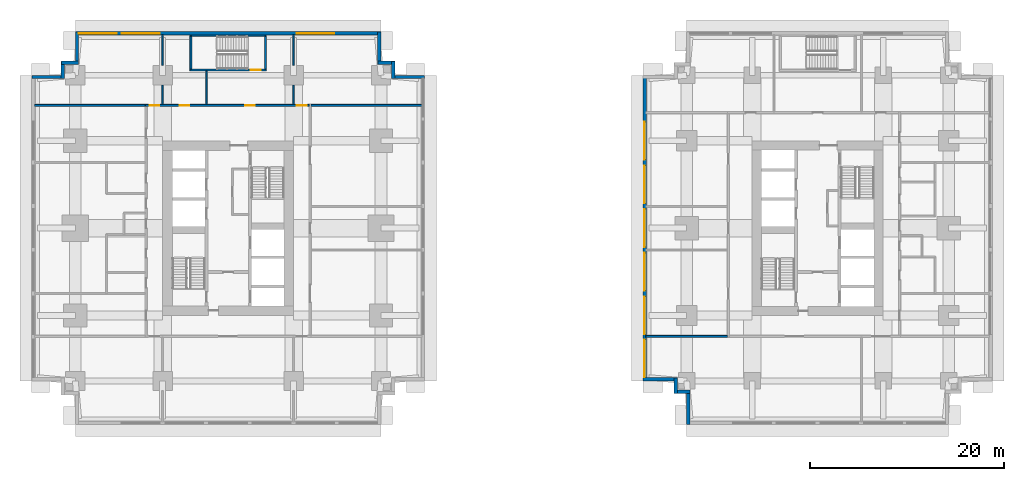
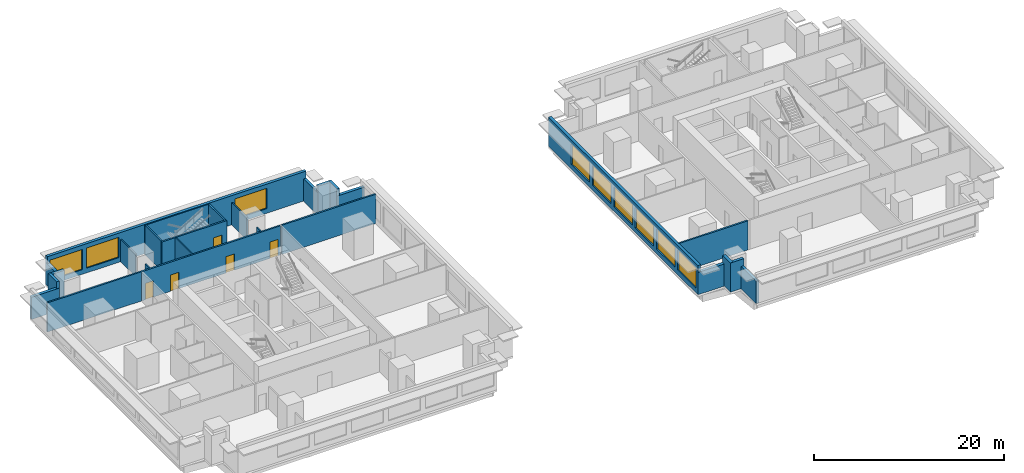
# One storey, part 5 of 11: 27 walls, 9 windows, 5 doors, 14 openings.
"""IFC4 building model written with IfcOpenShell, lengths in metres."""

from ifc_helpers import new_model, si_unit, direction, frame, frame_2d, origin, place, context, subcontext, project, spatial, rectangle, extrude, material, layer, layer_set, type_object, element, fill, save


model = new_model("IFC4")

# Units and contexts
model_context = context("Model", 3, precision=1e-05, world=origin(), true_north=direction((0.0, 1.0)))
body_context = subcontext(model_context, "Body", "Model", "MODEL_VIEW")
ifc_project = project(units=[si_unit("LENGTHUNIT", "METRE"), si_unit("AREAUNIT", "SQUARE_METRE"), si_unit("VOLUMEUNIT", "CUBIC_METRE"), si_unit("PLANEANGLEUNIT", "RADIAN"), si_unit("MASSUNIT", "GRAM", prefix="KILO")], contexts=[model_context])

# Site, building, storey
site_placement = place(None, origin())
site = spatial("IfcSite", under=ifc_project, at=site_placement, CompositionType="ELEMENT")
building_placement = place(site_placement, origin())
building = spatial("IfcBuilding", under=site, at=building_placement, Name="Namib Vertical Campus", CompositionType="ELEMENT")
storey_placement = place(building_placement, frame((0.0, 0.0, 57.0)))
storey = spatial("IfcBuildingStorey", under=building, at=storey_placement, Name="L13", CompositionType="ELEMENT", Elevation=57.0)

# Wall, openings, doors
ifc_material_1 = material(Name="Concrete masonry", Category="masonry")
ifc_layer_1 = layer(ifc_material_1, 0.199951171875)
ifc_layer_set_1 = layer_set([ifc_layer_1], Name="Corridor wall 200")
wall_type_1 = type_object("IfcWallType", Name="Corridor wall 200", PredefinedType="SOLIDWALL", material=ifc_layer_set_1)
wall_1_placement = place(storey_placement, frame((28.60009765625, 32.89990234375, 0.0), z_axis=(0.0, 0.0, 1.0), x_axis=(-1.0, 0.0, 0.0)))
wall_1 = element("IfcWall", 1, at=wall_1_placement, inside=storey, type_object=wall_type_1, Name="Corridor wall A L13 CN", PredefinedType="SOLIDWALL", context=body_context, shape_type="SweptSolid", body=[
    extrude(rectangle(XDim=16.900146484375, YDim=0.199951171875, at=frame_2d((8.4501953125, 0.0))), origin(), (0.0, 0.0, 1.0), 3.75),
])
opening_1_placement = place(wall_1_placement, frame((15.425048828125, 0.0, 0.0)))
opening_1 = element("IfcOpeningElement", 2, at=opening_1_placement, cuts=wall_1, Name="Opening CD1", PredefinedType="OPENING", context=body_context, shape_type="SweptSolid", body=[
    extrude(rectangle(XDim=1.0, YDim=2.10009765625, at=frame_2d((0.5, 1.050048828125))), frame((0.0, 0.10986328125, 0.0), z_axis=(0.0, -1.0, 0.0), x_axis=(1.0, 0.0, 0.0)), (0.0, 0.0, 1.0), 0.219970703125),
])
opening_2_placement = place(wall_1_placement, frame((12.35009765625, 0.0, 0.0)))
opening_2 = element("IfcOpeningElement", 3, at=opening_2_placement, cuts=wall_1, Name="Opening CD1", PredefinedType="OPENING", context=body_context, shape_type="SweptSolid", body=[
    extrude(rectangle(XDim=1.0, YDim=2.10009765625, at=frame_2d((0.5, 1.050048828125))), frame((0.0, 0.10986328125, 0.0), z_axis=(0.0, -1.0, 0.0), x_axis=(1.0, 0.0, 0.0)), (0.0, 0.0, 1.0), 0.219970703125),
])
opening_3_placement = place(wall_1_placement, frame((5.60009765625, 0.0, 0.0)))
opening_3 = element("IfcOpeningElement", 4, at=opening_3_placement, cuts=wall_1, Name="Opening CD1", PredefinedType="OPENING", context=body_context, shape_type="SweptSolid", body=[
    extrude(rectangle(XDim=1.0, YDim=2.10009765625, at=frame_2d((0.5, 1.050048828125))), frame((0.0, 0.10986328125, 0.0), z_axis=(0.0, -1.0, 0.0), x_axis=(1.0, 0.0, 0.0)), (0.0, 0.0, 1.0), 0.219970703125),
])
opening_4_placement = place(wall_1_placement, frame((0.27490234375, 0.0, 0.0)))
opening_4 = element("IfcOpeningElement", 5, at=opening_4_placement, cuts=wall_1, Name="Opening CD1", PredefinedType="OPENING", context=body_context, shape_type="SweptSolid", body=[
    extrude(rectangle(XDim=1.0, YDim=2.10009765625, at=frame_2d((0.5, 1.050048828125))), frame((0.0, 0.10986328125, 0.0), z_axis=(0.0, -1.0, 0.0), x_axis=(1.0, 0.0, 0.0)), (0.0, 0.0, 1.0), 0.219970703125),
])
ifc_material_2 = material(Name="Timber fire door leaf", Category="wood")
door_type_1 = type_object("IfcDoorType", Name="Corridor door 1000x2100 20 min", OperationType="SINGLE_SWING_LEFT", PredefinedType="DOOR", material=ifc_material_2)
door_1_placement = place(opening_1_placement, frame((1.0, 0.0, 0.0), z_axis=(0.0, 0.0, 1.0), x_axis=(-1.0, 0.0, 0.0)))
door_1 = element("IfcDoor", 6, at=door_1_placement, inside=storey, type_object=door_type_1, Name="Door CD1 A13-07", OperationType="SINGLE_SWING_RIGHT", OverallHeight=2.10009765625, OverallWidth=1.0, PredefinedType="DOOR", context=body_context, shape_type="SweptSolid", body=[
    extrude(rectangle(XDim=1.0, YDim=2.10009765625, at=frame_2d((0.5, 1.050048828125))), frame((0.0, 0.02490234375, 0.0), z_axis=(0.0, -1.0, 0.0), x_axis=(1.0, 0.0, 0.0)), (0.0, 0.0, 1.0), 0.050048828125),
])
fill(opening_1, door_1)
door_2_placement = place(opening_2_placement, frame((1.0, 0.0, 0.0), z_axis=(0.0, 0.0, 1.0), x_axis=(-1.0, 0.0, 0.0)))
door_2 = element("IfcDoor", 7, at=door_2_placement, inside=storey, type_object=door_type_1, Name="Door CD1 A13-08", OperationType="SINGLE_SWING_RIGHT", OverallHeight=2.10009765625, OverallWidth=1.0, PredefinedType="DOOR", context=body_context, shape_type="SweptSolid", body=[
    extrude(rectangle(XDim=1.0, YDim=2.10009765625, at=frame_2d((0.5, 1.050048828125))), frame((0.0, 0.02490234375, 0.0), z_axis=(0.0, -1.0, 0.0), x_axis=(1.0, 0.0, 0.0)), (0.0, 0.0, 1.0), 0.050048828125),
])
fill(opening_2, door_2)
door_3_placement = place(opening_3_placement, frame((1.0, 0.0, 0.0), z_axis=(0.0, 0.0, 1.0), x_axis=(-1.0, 0.0, 0.0)))
door_3 = element("IfcDoor", 8, at=door_3_placement, inside=storey, type_object=door_type_1, Name="Door CD1 A13-09", OperationType="SINGLE_SWING_RIGHT", OverallHeight=2.10009765625, OverallWidth=1.0, PredefinedType="DOOR", context=body_context, shape_type="SweptSolid", body=[
    extrude(rectangle(XDim=1.0, YDim=2.10009765625, at=frame_2d((0.5, 1.050048828125))), frame((0.0, 0.02490234375, 0.0), z_axis=(0.0, -1.0, 0.0), x_axis=(1.0, 0.0, 0.0)), (0.0, 0.0, 1.0), 0.050048828125),
])
fill(opening_3, door_3)
door_4_placement = place(opening_4_placement, frame((1.0, 0.0, 0.0), z_axis=(0.0, 0.0, 1.0), x_axis=(-1.0, 0.0, 0.0)))
door_4 = element("IfcDoor", 9, at=door_4_placement, inside=storey, type_object=door_type_1, Name="Door CD1 A13-10", OperationType="SINGLE_SWING_LEFT", OverallHeight=2.10009765625, OverallWidth=1.0, PredefinedType="DOOR", context=body_context, shape_type="SweptSolid", body=[
    extrude(rectangle(XDim=1.0, YDim=2.10009765625, at=frame_2d((0.5, 1.050048828125))), frame((0.0, 0.02490234375, 0.0), z_axis=(0.0, -1.0, 0.0), x_axis=(1.0, 0.0, 0.0)), (0.0, 0.0, 1.0), 0.050048828125),
])
fill(opening_4, door_4)

# Walls
for number, where, z_axis, x_axis, name in (
    (10, (0.300048828125, 32.89990234375, 0.0), (0.0, 0.0, 1.0), (1.0, 0.0, 0.0), "Partition A L13 BNW"),
    (11, (28.800048828125, 32.89990234375, 0.0), (0.0, 0.0, 1.0), (1.0, 0.0, 0.0), "Partition A L13 BNE"),
):
    element("IfcWall", number, at=place(storey_placement, frame(where, z_axis=z_axis, x_axis=x_axis)), inside=storey, type_object=wall_type_1, Name=name, PredefinedType="SOLIDWALL", context=body_context, shape_type="SweptSolid", body=[
        extrude(rectangle(XDim=11.39990234375, YDim=0.199951171875, at=frame_2d((5.699951171875, 0.0))), origin(), (0.0, 0.0, 1.0), 3.75),
    ])
wall_2_placement = place(storey_placement, frame((63.300048828125, 9.10009765625, 0.0), z_axis=(0.0, 0.0, 1.0), x_axis=(1.0, 0.0, 0.0)))
element("IfcWall", 12, at=wall_2_placement, inside=storey, type_object=wall_type_1, Name="Partition B L13 BSW", PredefinedType="SOLIDWALL", context=body_context, shape_type="SweptSolid", body=[
    extrude(rectangle(XDim=8.39990234375, YDim=0.199951171875, at=frame_2d((4.199951171875, 0.0))), origin(), (0.0, 0.0, 1.0), 3.75),
])
ifc_material_3 = material(Name="Concrete C40/50", Category="concrete")
ifc_layer_2 = layer(ifc_material_3, 0.35009765625)
ifc_layer_set_2 = layer_set([ifc_layer_2], Name="Concrete C40/50")
wall_type_2 = type_object("IfcWallType", Name="External wall 350 bush-hammered concrete", PredefinedType="STANDARD", material=ifc_layer_set_2)
wall_3_placement = place(storey_placement, frame((40.47998046875, 35.824951171875, 0.0), z_axis=(0.0, 0.0, 1.0), x_axis=(-1.0, 0.0, 0.0)))
element("IfcWall", 13, at=wall_3_placement, inside=storey, type_object=wall_type_2, Name="External wall L13 F07", PredefinedType="STANDARD", context=body_context, shape_type="SweptSolid", body=[
    extrude(rectangle(XDim=3.35986328125, YDim=0.35009765625, at=frame_2d((1.679931640625, 0.0))), origin(), (0.0, 0.0, 1.0), 2.85009765625),
])
for number, where, z_axis, x_axis, name in (
    (14, (37.27490234375, 35.669921875, 0.0), (0.0, 0.0, 1.0), (0.0, 1.0, 0.0), "External wall L13 F08"),
    (15, (37.429931640625, 37.27490234375, 0.0), (0.0, 0.0, 1.0), (-1.0, 0.0, 0.0), "External wall L13 F09"),
):
    element("IfcWall", number, at=place(storey_placement, frame(where, z_axis=z_axis, x_axis=x_axis)), inside=storey, type_object=wall_type_2, Name=name, PredefinedType="STANDARD", context=body_context, shape_type="SweptSolid", body=[
        extrude(rectangle(XDim=1.760009765625, YDim=0.35009765625, at=frame_2d((0.8798828125, 0.0))), origin(), (0.0, 0.0, 1.0), 3.75),
    ])
wall_4_placement = place(storey_placement, frame((35.824951171875, 37.1201171875, 0.0), z_axis=(0.0, 0.0, 1.0), x_axis=(0.0, 1.0, 0.0)))
element("IfcWall", 16, at=wall_4_placement, inside=storey, type_object=wall_type_2, Name="External wall L13 F10", PredefinedType="STANDARD", context=body_context, shape_type="SweptSolid", body=[
    extrude(rectangle(XDim=3.35986328125, YDim=0.35009765625, at=frame_2d((1.679931640625, 0.0))), origin(), (0.0, 0.0, 1.0), 2.85009765625),
])

# Wall, openings, windows
wall_5_placement = place(storey_placement, frame((35.97998046875, 40.324951171875, 0.0), z_axis=(0.0, 0.0, 1.0), x_axis=(-1.0, 0.0, 0.0)))
wall_5 = element("IfcWall", 17, at=wall_5_placement, inside=storey, type_object=wall_type_2, Name="External wall L13 F11", PredefinedType="STANDARD", context=body_context, shape_type="SweptSolid", body=[
    extrude(rectangle(XDim=31.4599609375, YDim=0.35009765625, at=frame_2d((15.72998046875, 0.0))), origin(), (0.0, 0.0, 1.0), 3.75),
])
opening_5_placement = place(wall_5_placement, frame((27.2099609375, 0.0, 0.60009765625)))
opening_5 = element("IfcOpeningElement", 18, at=opening_5_placement, cuts=wall_5, Name="Opening W2", PredefinedType="OPENING", context=body_context, shape_type="SweptSolid", body=[
    extrude(rectangle(XDim=3.89990234375, YDim=2.60009765625, at=frame_2d((1.949951171875, 1.300048828125))), frame((0.0, 0.18505859375, 0.0), z_axis=(0.0, -1.0, 0.0), x_axis=(1.0, 0.0, 0.0)), (0.0, 0.0, 1.0), 0.3701171875),
])
opening_6_placement = place(wall_5_placement, frame((22.780029296875, 0.0, 0.60009765625)))
opening_6 = element("IfcOpeningElement", 19, at=opening_6_placement, cuts=wall_5, Name="Opening W2", PredefinedType="OPENING", context=body_context, shape_type="SweptSolid", body=[
    extrude(rectangle(XDim=3.89990234375, YDim=2.60009765625, at=frame_2d((1.949951171875, 1.300048828125))), frame((0.0, 0.18505859375, 0.0), z_axis=(0.0, -1.0, 0.0), x_axis=(1.0, 0.0, 0.0)), (0.0, 0.0, 1.0), 0.3701171875),
])
opening_7_placement = place(wall_5_placement, frame((4.780029296875, 0.0, 0.60009765625)))
opening_7 = element("IfcOpeningElement", 20, at=opening_7_placement, cuts=wall_5, Name="Opening W2", PredefinedType="OPENING", context=body_context, shape_type="SweptSolid", body=[
    extrude(rectangle(XDim=3.89990234375, YDim=2.60009765625, at=frame_2d((1.949951171875, 1.300048828125))), frame((0.0, 0.18505859375, 0.0), z_axis=(0.0, -1.0, 0.0), x_axis=(1.0, 0.0, 0.0)), (0.0, 0.0, 1.0), 0.3701171875),
])
ifc_material_4 = material(Name="Dark tinted glass in black aluminium frame", Category="aluminium")
window_type = type_object("IfcWindowType", Name="Ribbon window 3900x2600", PartitioningType="SINGLE_PANEL", PredefinedType="WINDOW", material=ifc_material_4)
window_1_placement = place(opening_5_placement, origin())
window_1 = element("IfcWindow", 21, at=window_1_placement, inside=storey, type_object=window_type, Name="Window W2 L13 F11-1", OverallHeight=2.60009765625, OverallWidth=3.89990234375, PartitioningType="SINGLE_PANEL", PredefinedType="WINDOW", context=body_context, shape_type="SweptSolid", body=[
    extrude(rectangle(XDim=3.89990234375, YDim=2.60009765625, at=frame_2d((1.949951171875, 1.300048828125))), frame((0.0, 0.030029296875, 0.0), z_axis=(0.0, -1.0, 0.0), x_axis=(1.0, 0.0, 0.0)), (0.0, 0.0, 1.0), 0.06005859375),
])
fill(opening_5, window_1)
window_2_placement = place(opening_6_placement, origin())
window_2 = element("IfcWindow", 22, at=window_2_placement, inside=storey, type_object=window_type, Name="Window W2 L13 F11-2", OverallHeight=2.60009765625, OverallWidth=3.89990234375, PartitioningType="SINGLE_PANEL", PredefinedType="WINDOW", context=body_context, shape_type="SweptSolid", body=[
    extrude(rectangle(XDim=3.89990234375, YDim=2.60009765625, at=frame_2d((1.949951171875, 1.300048828125))), frame((0.0, 0.030029296875, 0.0), z_axis=(0.0, -1.0, 0.0), x_axis=(1.0, 0.0, 0.0)), (0.0, 0.0, 1.0), 0.06005859375),
])
fill(opening_6, window_2)
window_3_placement = place(opening_7_placement, origin())
window_3 = element("IfcWindow", 23, at=window_3_placement, inside=storey, type_object=window_type, Name="Window W2 L13 F11-6", OverallHeight=2.60009765625, OverallWidth=3.89990234375, PartitioningType="SINGLE_PANEL", PredefinedType="WINDOW", context=body_context, shape_type="SweptSolid", body=[
    extrude(rectangle(XDim=3.89990234375, YDim=2.60009765625, at=frame_2d((1.949951171875, 1.300048828125))), frame((0.0, 0.030029296875, 0.0), z_axis=(0.0, -1.0, 0.0), x_axis=(1.0, 0.0, 0.0)), (0.0, 0.0, 1.0), 0.06005859375),
])
fill(opening_7, window_3)

# Walls
wall_6_placement = place(storey_placement, frame((4.675048828125, 40.47998046875, 0.0), z_axis=(0.0, 0.0, 1.0), x_axis=(0.0, -1.0, 0.0)))
element("IfcWall", 24, at=wall_6_placement, inside=storey, type_object=wall_type_2, Name="External wall L13 F12", PredefinedType="STANDARD", context=body_context, shape_type="SweptSolid", body=[
    extrude(rectangle(XDim=3.35986328125, YDim=0.35009765625, at=frame_2d((1.679931640625, 0.0))), origin(), (0.0, 0.0, 1.0), 2.85009765625),
])
for number, where, z_axis, x_axis, name in (
    (25, (4.830078125, 37.27490234375, 0.0), (0.0, 0.0, 1.0), (-1.0, 0.0, 0.0), "External wall L13 F13"),
    (26, (3.22509765625, 37.429931640625, 0.0), (0.0, 0.0, 1.0), (0.0, -1.0, 0.0), "External wall L13 F14"),
):
    element("IfcWall", number, at=place(storey_placement, frame(where, z_axis=z_axis, x_axis=x_axis)), inside=storey, type_object=wall_type_2, Name=name, PredefinedType="STANDARD", context=body_context, shape_type="SweptSolid", body=[
        extrude(rectangle(XDim=1.760009765625, YDim=0.35009765625, at=frame_2d((0.8798828125, 0.0))), origin(), (0.0, 0.0, 1.0), 3.75),
    ])
wall_7_placement = place(storey_placement, frame((3.3798828125, 35.824951171875, 0.0), z_axis=(0.0, 0.0, 1.0), x_axis=(-1.0, 0.0, 0.0)))
element("IfcWall", 27, at=wall_7_placement, inside=storey, type_object=wall_type_2, Name="External wall L13 F15", PredefinedType="STANDARD", context=body_context, shape_type="SweptSolid", body=[
    extrude(rectangle(XDim=3.35986328125, YDim=0.35009765625, at=frame_2d((1.679931640625, 0.0))), origin(), (0.0, 0.0, 1.0), 2.85009765625),
])

# Wall, openings, windows
wall_8_placement = place(storey_placement, frame((63.175048828125, 35.97998046875, 0.0), z_axis=(0.0, 0.0, 1.0), x_axis=(0.0, -1.0, 0.0)))
wall_8 = element("IfcWall", 28, at=wall_8_placement, inside=storey, type_object=wall_type_2, Name="External wall L13 F16", PredefinedType="STANDARD", context=body_context, shape_type="SweptSolid", body=[
    extrude(rectangle(XDim=31.4599609375, YDim=0.35009765625, at=frame_2d((15.72998046875, 0.0))), origin(), (0.0, 0.0, 1.0), 3.75),
])
opening_8_placement = place(wall_8_placement, frame((27.2099609375, 0.0, 0.60009765625)))
opening_8 = element("IfcOpeningElement", 29, at=opening_8_placement, cuts=wall_8, Name="Opening W2", PredefinedType="OPENING", context=body_context, shape_type="SweptSolid", body=[
    extrude(rectangle(XDim=3.89990234375, YDim=2.60009765625, at=frame_2d((1.949951171875, 1.300048828125))), frame((0.0, 0.18505859375, 0.0), z_axis=(0.0, -1.0, 0.0), x_axis=(1.0, 0.0, 0.0)), (0.0, 0.0, 1.0), 0.3701171875),
])
opening_9_placement = place(wall_8_placement, frame((22.780029296875, 0.0, 0.60009765625)))
opening_9 = element("IfcOpeningElement", 30, at=opening_9_placement, cuts=wall_8, Name="Opening W2", PredefinedType="OPENING", context=body_context, shape_type="SweptSolid", body=[
    extrude(rectangle(XDim=3.89990234375, YDim=2.60009765625, at=frame_2d((1.949951171875, 1.300048828125))), frame((0.0, 0.18505859375, 0.0), z_axis=(0.0, -1.0, 0.0), x_axis=(1.0, 0.0, 0.0)), (0.0, 0.0, 1.0), 0.3701171875),
])
opening_10_placement = place(wall_8_placement, frame((18.280029296875, 0.0, 0.60009765625)))
opening_10 = element("IfcOpeningElement", 31, at=opening_10_placement, cuts=wall_8, Name="Opening W2", PredefinedType="OPENING", context=body_context, shape_type="SweptSolid", body=[
    extrude(rectangle(XDim=3.89990234375, YDim=2.60009765625, at=frame_2d((1.949951171875, 1.300048828125))), frame((0.0, 0.18505859375, 0.0), z_axis=(0.0, -1.0, 0.0), x_axis=(1.0, 0.0, 0.0)), (0.0, 0.0, 1.0), 0.3701171875),
])
opening_11_placement = place(wall_8_placement, frame((13.780029296875, 0.0, 0.60009765625)))
opening_11 = element("IfcOpeningElement", 32, at=opening_11_placement, cuts=wall_8, Name="Opening W2", PredefinedType="OPENING", context=body_context, shape_type="SweptSolid", body=[
    extrude(rectangle(XDim=3.89990234375, YDim=2.60009765625, at=frame_2d((1.949951171875, 1.300048828125))), frame((0.0, 0.18505859375, 0.0), z_axis=(0.0, -1.0, 0.0), x_axis=(1.0, 0.0, 0.0)), (0.0, 0.0, 1.0), 0.3701171875),
])
opening_12_placement = place(wall_8_placement, frame((9.280029296875, 0.0, 0.60009765625)))
opening_12 = element("IfcOpeningElement", 33, at=opening_12_placement, cuts=wall_8, Name="Opening W2", PredefinedType="OPENING", context=body_context, shape_type="SweptSolid", body=[
    extrude(rectangle(XDim=3.89990234375, YDim=2.60009765625, at=frame_2d((1.949951171875, 1.300048828125))), frame((0.0, 0.18505859375, 0.0), z_axis=(0.0, -1.0, 0.0), x_axis=(1.0, 0.0, 0.0)), (0.0, 0.0, 1.0), 0.3701171875),
])
opening_13_placement = place(wall_8_placement, frame((4.780029296875, 0.0, 0.60009765625)))
opening_13 = element("IfcOpeningElement", 34, at=opening_13_placement, cuts=wall_8, Name="Opening W2", PredefinedType="OPENING", context=body_context, shape_type="SweptSolid", body=[
    extrude(rectangle(XDim=3.89990234375, YDim=2.60009765625, at=frame_2d((1.949951171875, 1.300048828125))), frame((0.0, 0.18505859375, 0.0), z_axis=(0.0, -1.0, 0.0), x_axis=(1.0, 0.0, 0.0)), (0.0, 0.0, 1.0), 0.3701171875),
])
window_4_placement = place(opening_8_placement, origin())
window_4 = element("IfcWindow", 35, at=window_4_placement, inside=storey, type_object=window_type, Name="Window W2 L13 F16-1", OverallHeight=2.60009765625, OverallWidth=3.89990234375, PartitioningType="SINGLE_PANEL", PredefinedType="WINDOW", context=body_context, shape_type="SweptSolid", body=[
    extrude(rectangle(XDim=3.89990234375, YDim=2.60009765625, at=frame_2d((1.949951171875, 1.300048828125))), frame((0.0, 0.030029296875, 0.0), z_axis=(0.0, -1.0, 0.0), x_axis=(1.0, 0.0, 0.0)), (0.0, 0.0, 1.0), 0.06005859375),
])
fill(opening_8, window_4)
window_5_placement = place(opening_9_placement, origin())
window_5 = element("IfcWindow", 36, at=window_5_placement, inside=storey, type_object=window_type, Name="Window W2 L13 F16-2", OverallHeight=2.60009765625, OverallWidth=3.89990234375, PartitioningType="SINGLE_PANEL", PredefinedType="WINDOW", context=body_context, shape_type="SweptSolid", body=[
    extrude(rectangle(XDim=3.89990234375, YDim=2.60009765625, at=frame_2d((1.949951171875, 1.300048828125))), frame((0.0, 0.030029296875, 0.0), z_axis=(0.0, -1.0, 0.0), x_axis=(1.0, 0.0, 0.0)), (0.0, 0.0, 1.0), 0.06005859375),
])
fill(opening_9, window_5)
window_6_placement = place(opening_10_placement, origin())
window_6 = element("IfcWindow", 37, at=window_6_placement, inside=storey, type_object=window_type, Name="Window W2 L13 F16-3", OverallHeight=2.60009765625, OverallWidth=3.89990234375, PartitioningType="SINGLE_PANEL", PredefinedType="WINDOW", context=body_context, shape_type="SweptSolid", body=[
    extrude(rectangle(XDim=3.89990234375, YDim=2.60009765625, at=frame_2d((1.949951171875, 1.300048828125))), frame((0.0, 0.030029296875, 0.0), z_axis=(0.0, -1.0, 0.0), x_axis=(1.0, 0.0, 0.0)), (0.0, 0.0, 1.0), 0.06005859375),
])
fill(opening_10, window_6)
window_7_placement = place(opening_11_placement, origin())
window_7 = element("IfcWindow", 38, at=window_7_placement, inside=storey, type_object=window_type, Name="Window W2 L13 F16-4", OverallHeight=2.60009765625, OverallWidth=3.89990234375, PartitioningType="SINGLE_PANEL", PredefinedType="WINDOW", context=body_context, shape_type="SweptSolid", body=[
    extrude(rectangle(XDim=3.89990234375, YDim=2.60009765625, at=frame_2d((1.949951171875, 1.300048828125))), frame((0.0, 0.030029296875, 0.0), z_axis=(0.0, -1.0, 0.0), x_axis=(1.0, 0.0, 0.0)), (0.0, 0.0, 1.0), 0.06005859375),
])
fill(opening_11, window_7)
window_8_placement = place(opening_12_placement, origin())
window_8 = element("IfcWindow", 39, at=window_8_placement, inside=storey, type_object=window_type, Name="Window W2 L13 F16-5", OverallHeight=2.60009765625, OverallWidth=3.89990234375, PartitioningType="SINGLE_PANEL", PredefinedType="WINDOW", context=body_context, shape_type="SweptSolid", body=[
    extrude(rectangle(XDim=3.89990234375, YDim=2.60009765625, at=frame_2d((1.949951171875, 1.300048828125))), frame((0.0, 0.030029296875, 0.0), z_axis=(0.0, -1.0, 0.0), x_axis=(1.0, 0.0, 0.0)), (0.0, 0.0, 1.0), 0.06005859375),
])
fill(opening_12, window_8)
window_9_placement = place(opening_13_placement, origin())
window_9 = element("IfcWindow", 40, at=window_9_placement, inside=storey, type_object=window_type, Name="Window W2 L13 F16-6", OverallHeight=2.60009765625, OverallWidth=3.89990234375, PartitioningType="SINGLE_PANEL", PredefinedType="WINDOW", context=body_context, shape_type="SweptSolid", body=[
    extrude(rectangle(XDim=3.89990234375, YDim=2.60009765625, at=frame_2d((1.949951171875, 1.300048828125))), frame((0.0, 0.030029296875, 0.0), z_axis=(0.0, -1.0, 0.0), x_axis=(1.0, 0.0, 0.0)), (0.0, 0.0, 1.0), 0.06005859375),
])
fill(opening_13, window_9)

# Walls
wall_9_placement = place(storey_placement, frame((63.02001953125, 4.675048828125, 0.0), z_axis=(0.0, 0.0, 1.0), x_axis=(1.0, 0.0, 0.0)))
element("IfcWall", 41, at=wall_9_placement, inside=storey, type_object=wall_type_2, Name="External wall L13 F17", PredefinedType="STANDARD", context=body_context, shape_type="SweptSolid", body=[
    extrude(rectangle(XDim=3.510009765625, YDim=0.35009765625, at=frame_2d((1.7548828125, 0.0))), origin(), (0.0, 0.0, 1.0), 2.85009765625),
])
for number, where, z_axis, x_axis, name in (
    (42, (66.375, 4.830078125, 0.0), (0.0, 0.0, 1.0), (0.0, -1.0, 0.0), "External wall L13 F18"),
    (43, (66.219970703125, 3.375, 0.0), (0.0, 0.0, 1.0), (1.0, 0.0, 0.0), "External wall L13 F19"),
):
    element("IfcWall", number, at=place(storey_placement, frame(where, z_axis=z_axis, x_axis=x_axis)), inside=storey, type_object=wall_type_2, Name=name, PredefinedType="STANDARD", context=body_context, shape_type="SweptSolid", body=[
        extrude(rectangle(XDim=1.610107421875, YDim=0.35009765625, at=frame_2d((0.80517578125, 0.0))), origin(), (0.0, 0.0, 1.0), 3.75),
    ])
wall_10_placement = place(storey_placement, frame((67.675048828125, 3.530029296875, 0.0), z_axis=(0.0, 0.0, 1.0), x_axis=(0.0, -1.0, 0.0)))
element("IfcWall", 44, at=wall_10_placement, inside=storey, type_object=wall_type_2, Name="External wall L13 F20", PredefinedType="STANDARD", context=body_context, shape_type="SweptSolid", body=[
    extrude(rectangle(XDim=3.510009765625, YDim=0.35009765625, at=frame_2d((1.7548828125, 0.0))), origin(), (0.0, 0.0, 1.0), 2.85009765625),
])
ifc_material_5 = material(Name="Gypsum board on steel studs", Category="steel")
ifc_layer_3 = layer(ifc_material_5, 0.14990234375)
ifc_layer_set_3 = layer_set([ifc_layer_3], Name="Gypsum board on steel studs")
wall_type_3 = type_object("IfcWallType", Name="Partition 150", PredefinedType="PARTITIONING", material=ifc_layer_set_3)
wall_11_placement = place(storey_placement, frame((13.5, 33.0, 0.0), z_axis=(0.0, 0.0, 1.0), x_axis=(0.0, 1.0, 0.0)))
element("IfcWall", 45, at=wall_11_placement, inside=storey, type_object=wall_type_3, Name="Partition A L13 PN1", PredefinedType="PARTITIONING", context=body_context, shape_type="SweptSolid", body=[
    extrude(rectangle(XDim=1.97998046875, YDim=0.14990234375, at=frame_2d((0.989990234375, 0.0))), origin(), (0.0, 0.0, 1.0), 2.85009765625),
])
wall_12_placement = place(storey_placement, frame((13.5, 37.02001953125, 0.0), z_axis=(0.0, 0.0, 1.0), x_axis=(0.0, 1.0, 0.0)))
element("IfcWall", 46, at=wall_12_placement, inside=storey, type_object=wall_type_3, Name="Partition A L13 PN1", PredefinedType="PARTITIONING", context=body_context, shape_type="SweptSolid", body=[
    extrude(rectangle(XDim=3.179931640625, YDim=0.14990234375, at=frame_2d((1.58984375, 0.0))), origin(), (0.0, 0.0, 1.0), 2.85009765625),
])
wall_13_placement = place(storey_placement, frame((18.0, 33.0, 0.0), z_axis=(0.0, 0.0, 1.0), x_axis=(0.0, 1.0, 0.0)))
element("IfcWall", 47, at=wall_13_placement, inside=storey, type_object=wall_type_3, Name="Partition A L13 PN2", PredefinedType="PARTITIONING", context=body_context, shape_type="SweptSolid", body=[
    extrude(rectangle(XDim=3.449951171875, YDim=0.14990234375, at=frame_2d((1.72509765625, 0.0))), origin(), (0.0, 0.0, 1.0), 3.75),
])
wall_14_placement = place(storey_placement, frame((27.0, 33.0, 0.0), z_axis=(0.0, 0.0, 1.0), x_axis=(0.0, 1.0, 0.0)))
element("IfcWall", 48, at=wall_14_placement, inside=storey, type_object=wall_type_3, Name="Partition A L13 PN3", PredefinedType="PARTITIONING", context=body_context, shape_type="SweptSolid", body=[
    extrude(rectangle(XDim=1.97998046875, YDim=0.14990234375, at=frame_2d((0.989990234375, 0.0))), origin(), (0.0, 0.0, 1.0), 2.85009765625),
])
wall_15_placement = place(storey_placement, frame((27.0, 37.02001953125, 0.0), z_axis=(0.0, 0.0, 1.0), x_axis=(0.0, 1.0, 0.0)))
element("IfcWall", 49, at=wall_15_placement, inside=storey, type_object=wall_type_3, Name="Partition A L13 PN3", PredefinedType="PARTITIONING", context=body_context, shape_type="SweptSolid", body=[
    extrude(rectangle(XDim=3.179931640625, YDim=0.14990234375, at=frame_2d((1.58984375, 0.0))), origin(), (0.0, 0.0, 1.0), 2.85009765625),
])
ifc_material_6 = material(Name="Concrete C40/50", Category="concrete")
ifc_layer_4 = layer(ifc_material_6, 0.14990234375)
ifc_layer_set_4 = layer_set([ifc_layer_4], Name="Concrete C40/50")
wall_type_4 = type_object("IfcWallType", Name="Stair enclosure wall RC 150", PredefinedType="SOLIDWALL", material=ifc_layer_set_4)
wall_16_placement = place(storey_placement, frame((16.300048828125, 40.074951171875, 0.0), z_axis=(0.0, 0.0, 1.0), x_axis=(1.0, 0.0, 0.0)))
element("IfcWall", 50, at=wall_16_placement, inside=storey, type_object=wall_type_4, Name="Stair enclosure wall A-S3 L13 N", PredefinedType="SOLIDWALL", context=body_context, shape_type="SweptSolid", body=[
    extrude(rectangle(XDim=7.89990234375, YDim=0.14990234375, at=frame_2d((3.949951171875, 0.0))), origin(), (0.0, 0.0, 1.0), 3.75),
])

# Wall, opening, door
ifc_material_7 = material(Name="Concrete C40/50", Category="concrete")
ifc_layer_5 = layer(ifc_material_7, 0.199951171875)
ifc_layer_set_5 = layer_set([ifc_layer_5], Name="Concrete C40/50")
wall_type_5 = type_object("IfcWallType", Name="Stair enclosure wall RC 200", PredefinedType="SOLIDWALL", material=ifc_layer_set_5)
wall_17_placement = place(storey_placement, frame((16.300048828125, 36.550048828125, 0.0), z_axis=(0.0, 0.0, 1.0), x_axis=(1.0, 0.0, 0.0)))
wall_17 = element("IfcWall", 51, at=wall_17_placement, inside=storey, type_object=wall_type_5, Name="Stair enclosure wall A-S3 L13 S", PredefinedType="SOLIDWALL", context=body_context, shape_type="SweptSolid", body=[
    extrude(rectangle(XDim=7.89990234375, YDim=0.199951171875, at=frame_2d((3.949951171875, 0.0))), origin(), (0.0, 0.0, 1.0), 3.75),
])
opening_14_placement = place(wall_17_placement, frame((6.300048828125, 0.0, 0.0)))
opening_14 = element("IfcOpeningElement", 52, at=opening_14_placement, cuts=wall_17, Name="Opening FD1", PredefinedType="OPENING", context=body_context, shape_type="SweptSolid", body=[
    extrude(rectangle(XDim=1.0, YDim=2.10009765625, at=frame_2d((0.5, 1.050048828125))), frame((0.0, 0.10986328125, 0.0), z_axis=(0.0, -1.0, 0.0), x_axis=(1.0, 0.0, 0.0)), (0.0, 0.0, 1.0), 0.219970703125),
])
ifc_material_8 = material(Name="Steel fire door", Category="steel")
door_type_2 = type_object("IfcDoorType", Name="Fire door 1000x2100", OperationType="SINGLE_SWING_RIGHT", PredefinedType="DOOR", material=ifc_material_8)
door_5_placement = place(opening_14_placement, origin())
door_5 = element("IfcDoor", 53, at=door_5_placement, inside=storey, type_object=door_type_2, Name="Stair door FD1 A L13 S3", OperationType="SINGLE_SWING_RIGHT", OverallHeight=2.10009765625, OverallWidth=1.0, PredefinedType="DOOR", context=body_context, shape_type="SweptSolid", body=[
    extrude(rectangle(XDim=1.0, YDim=2.10009765625, at=frame_2d((0.5, 1.050048828125))), frame((0.0, 0.02490234375, 0.0), z_axis=(0.0, -1.0, 0.0), x_axis=(1.0, 0.0, 0.0)), (0.0, 0.0, 1.0), 0.050048828125),
])
fill(opening_14, door_5)

# Walls
for number, where, z_axis, x_axis, name in (
    (54, (16.39990234375, 36.64990234375, 0.0), (0.0, 0.0, 1.0), (0.0, 1.0, 0.0), "Stair enclosure wall A-S3 L13 W"),
    (55, (24.10009765625, 36.64990234375, 0.0), (0.0, 0.0, 1.0), (0.0, 1.0, 0.0), "Stair enclosure wall A-S3 L13 E"),
):
    element("IfcWall", number, at=place(storey_placement, frame(where, z_axis=z_axis, x_axis=x_axis)), inside=storey, type_object=wall_type_5, Name=name, PredefinedType="SOLIDWALL", context=body_context, shape_type="SweptSolid", body=[
        extrude(rectangle(XDim=3.35009765625, YDim=0.199951171875, at=frame_2d((1.675048828125, 0.0))), origin(), (0.0, 0.0, 1.0), 3.75),
    ])

save(model, "model.ifc")
